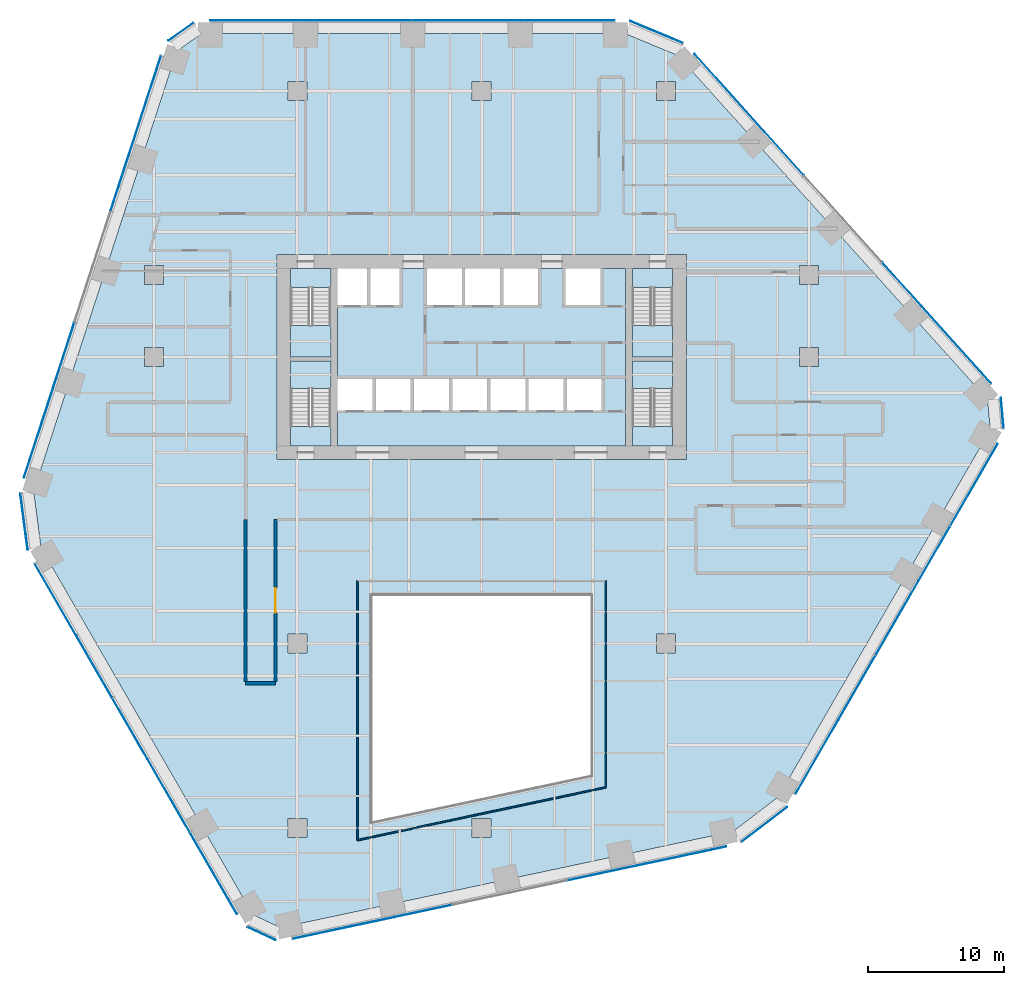
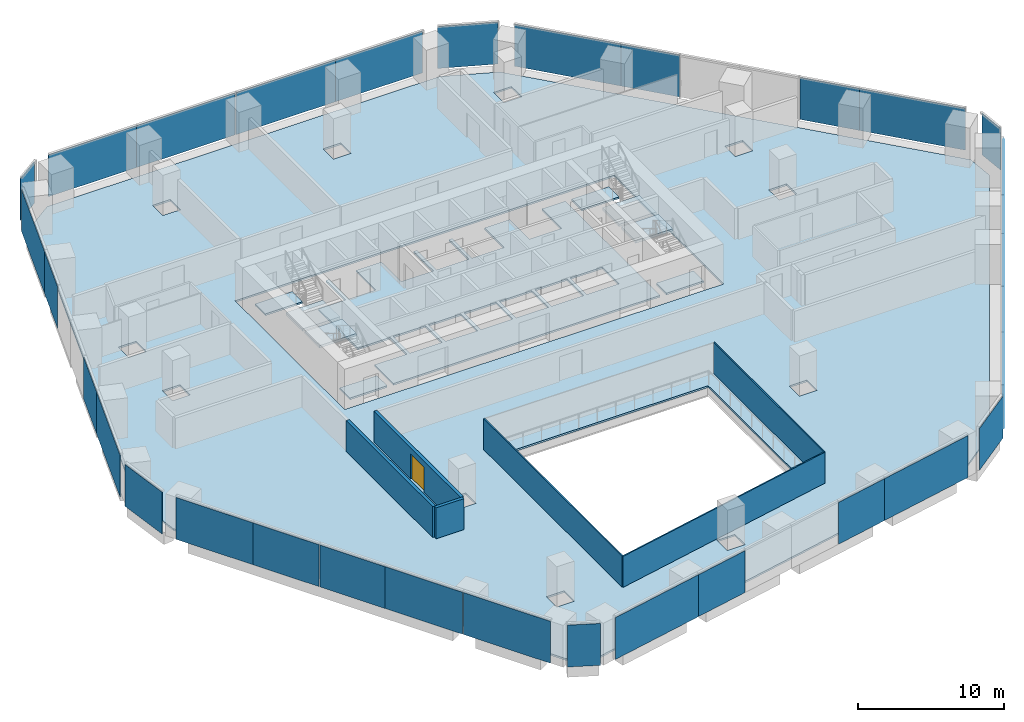
# One storey, part 13 of 20: 32 plates, 10 slabs, 6 walls, 1 door, 1 opening, 16 elements without a shape of their own.
"""IFC4 building model written with IfcOpenShell, lengths in metres."""

from ifc_helpers import new_model, si_unit, direction, frame, frame_2d, origin, origin_2d, place, context, subcontext, project, spatial, polyline, rectangle, outline, extrude, material, layer, layer_set, type_object, element, fill, aggregate, save


model = new_model("IFC4")

# Units and contexts
model_context = context("Model", 3, precision=1e-05, world=origin(), true_north=direction((0.0, 1.0)))
body_context = subcontext(model_context, "Body", "Model", "MODEL_VIEW")
ifc_project = project(units=[si_unit("LENGTHUNIT", "METRE"), si_unit("AREAUNIT", "SQUARE_METRE"), si_unit("VOLUMEUNIT", "CUBIC_METRE"), si_unit("PLANEANGLEUNIT", "RADIAN"), si_unit("MASSUNIT", "GRAM", prefix="KILO")], contexts=[model_context])

# Site, building, storey
site_placement = place(None, origin())
site = spatial("IfcSite", under=ifc_project, at=site_placement, CompositionType="ELEMENT")
building_placement = place(site_placement, origin())
building = spatial("IfcBuilding", under=site, at=building_placement, Name="Isthmus Gate Tower", CompositionType="ELEMENT")
storey_placement = place(building_placement, frame((0.0, 0.0, 72.5)))
storey = spatial("IfcBuildingStorey", under=building, at=storey_placement, Name="L16", CompositionType="ELEMENT", Elevation=72.5)

# Slabs
ifc_material_1 = material(Name="Concrete f'c 40 MPa", Category="concrete")
ifc_layer_1 = layer(ifc_material_1, 0.14990234375)
ifc_layer_set_1 = layer_set([ifc_layer_1], Name="COMPOSITE FLOOR SLAB 150")
slab_type_1 = type_object("IfcSlabType", Name="COMPOSITE FLOOR SLAB 150", PredefinedType="FLOOR", material=ifc_layer_set_1)
slab_1_placement = place(storey_placement, frame((0.0, 0.0, -0.14990234375)))
element("IfcSlab", 1, at=slab_1_placement, inside=storey, type_object=slab_type_1, Name="str-slab-L16-1", PredefinedType="FLOOR", context=body_context, shape_type="SweptSolid", body=[
    extrude(outline(polyline([(14.391357421875, 29.599365234375), (37.081787109375, 4.399169921875), (37.281494140625, 2.17333984375), (21.748779296875, -24.729736328125), (18.438232421875, -27.262939453125), (-14.73095703125, -34.313232421875), (-16.758544921875, -33.373291015625), (-32.291015625, -6.47021484375), (-32.82958984375, -2.33642578125), (-22.3505859375, 29.9140625), (-20.52294921875, 31.199951171875), (10.542236328125, 31.199951171875), (14.391357421875, 29.599365234375)]), holes=[polyline([(-14.199951171875, -27.699951171875), (-12.800048828125, -27.699951171875), (-12.800048828125, -26.300048828125), (-14.199951171875, -26.300048828125), (-14.199951171875, -27.699951171875)]), polyline([(-0.699951171875, -26.300048828125), (-0.699951171875, -27.699951171875), (0.699951171875, -27.699951171875), (0.699951171875, -26.300048828125), (-0.699951171875, -26.300048828125)]), polyline([(-14.199951171875, -12.800048828125), (-14.199951171875, -14.199951171875), (-12.800048828125, -14.199951171875), (-12.800048828125, -12.800048828125), (-14.199951171875, -12.800048828125)]), polyline([(-24.699951171875, 8.199951171875), (-24.699951171875, 6.800048828125), (-23.300048828125, 6.800048828125), (-23.300048828125, 8.199951171875), (-24.699951171875, 8.199951171875)]), polyline([(-23.300048828125, 14.199951171875), (-24.699951171875, 14.199951171875), (-24.699951171875, 12.800048828125), (-23.300048828125, 12.800048828125), (-23.300048828125, 14.199951171875)]), polyline([(-14.199951171875, 27.699951171875), (-14.199951171875, 26.300048828125), (-12.800048828125, 26.300048828125), (-12.800048828125, 27.699951171875), (-14.199951171875, 27.699951171875)]), polyline([(-0.699951171875, 27.699951171875), (-0.699951171875, 26.300048828125), (0.699951171875, 26.300048828125), (0.699951171875, 27.699951171875), (-0.699951171875, 27.699951171875)]), polyline([(8.0, -23.143310546875), (8.0, -10.0), (-8.0, -10.0), (-8.0, -26.544189453125), (8.0, -23.143310546875)]), polyline([(14.199951171875, -12.800048828125), (12.800048828125, -12.800048828125), (12.800048828125, -14.199951171875), (14.199951171875, -14.199951171875), (14.199951171875, -12.800048828125)]), polyline([(15.0, 15.0), (-15.0, 15.0), (-15.0, 0.0), (15.0, 0.0), (15.0, 15.0)]), polyline([(24.699951171875, 8.199951171875), (23.300048828125, 8.199951171875), (23.300048828125, 6.800048828125), (24.699951171875, 6.800048828125), (24.699951171875, 8.199951171875)]), polyline([(23.300048828125, 14.199951171875), (23.300048828125, 12.800048828125), (24.699951171875, 12.800048828125), (24.699951171875, 14.199951171875), (23.300048828125, 14.199951171875)]), polyline([(14.199951171875, 27.699951171875), (12.800048828125, 27.699951171875), (12.800048828125, 26.300048828125), (14.199951171875, 26.300048828125), (14.199951171875, 27.699951171875)])]), origin(), (0.0, 0.0, 1.0), 0.14990234375),
])
ifc_material_2 = material(Name="Concrete f'c 40 MPa", Category="concrete")
ifc_layer_2 = layer(ifc_material_2, 0.14990234375)
ifc_layer_set_2 = layer_set([ifc_layer_2], Name="CORE FLOOR SLAB 150")
slab_type_2 = type_object("IfcSlabType", Name="CORE FLOOR SLAB 150", PredefinedType="FLOOR", material=ifc_layer_set_2)
slab_2_placement = place(storey_placement, frame((0.0, 0.0, -0.14990234375)))
element("IfcSlab", 2, at=slab_2_placement, inside=storey, type_object=slab_type_2, Name="L16 core floor", PredefinedType="FLOOR", context=body_context, shape_type="SweptSolid", body=[
    extrude(outline(polyline([(-11.050048828125, 1.0), (-11.050048828125, 2.402099609375), (-14.0, 2.402099609375), (-14.0, 1.0), (-11.050048828125, 1.0)])), origin(), (0.0, 0.0, 1.0), 0.14990234375),
])
slab_3_placement = place(storey_placement, frame((0.0, 0.0, -0.14990234375)))
element("IfcSlab", 3, at=slab_3_placement, inside=storey, type_object=slab_type_2, Name="L16 core floor", PredefinedType="FLOOR", context=body_context, shape_type="SweptSolid", body=[
    extrude(outline(polyline([(-14.0, 14.0), (-14.0, 12.597900390625), (-11.050048828125, 12.597900390625), (-11.050048828125, 14.0), (-14.0, 14.0)])), origin(), (0.0, 0.0, 1.0), 0.14990234375),
])
slab_4_placement = place(storey_placement, frame((0.0, 0.0, -0.14990234375)))
element("IfcSlab", 4, at=slab_4_placement, inside=storey, type_object=slab_type_2, Name="L16 core floor", PredefinedType="FLOOR", context=body_context, shape_type="SweptSolid", body=[
    extrude(outline(polyline([(10.550048828125, 14.0), (8.699951171875, 14.0), (8.699951171875, 11.300048828125), (6.14990234375, 11.300048828125), (6.14990234375, 14.0), (4.14990234375, 14.0), (4.14990234375, 11.300048828125), (1.60009765625, 11.300048828125), (1.60009765625, 14.0), (1.35009765625, 14.0), (1.35009765625, 11.300048828125), (-1.199951171875, 11.300048828125), (-1.199951171875, 14.0), (-1.449951171875, 14.0), (-1.449951171875, 11.300048828125), (-4.0, 11.300048828125), (-4.0, 14.0), (-6.0, 14.0), (-6.0, 11.300048828125), (-8.14990234375, 11.300048828125), (-8.14990234375, 14.0), (-8.39990234375, 14.0), (-8.39990234375, 11.300048828125), (-10.550048828125, 11.300048828125), (-10.550048828125, 5.89990234375), (-8.0, 5.89990234375), (-8.0, 3.60009765625), (-10.550048828125, 3.60009765625), (-10.550048828125, 1.0), (10.550048828125, 1.0), (10.550048828125, 14.0)]), holes=[polyline([(-5.199951171875, 5.89990234375), (-5.199951171875, 3.60009765625), (-7.75, 3.60009765625), (-7.75, 5.89990234375), (-5.199951171875, 5.89990234375)]), polyline([(-2.39990234375, 5.89990234375), (-2.39990234375, 3.60009765625), (-4.949951171875, 3.60009765625), (-4.949951171875, 5.89990234375), (-2.39990234375, 5.89990234375)]), polyline([(0.39990234375, 5.89990234375), (0.39990234375, 3.60009765625), (-2.14990234375, 3.60009765625), (-2.14990234375, 5.89990234375), (0.39990234375, 5.89990234375)]), polyline([(3.199951171875, 5.89990234375), (3.199951171875, 3.60009765625), (0.64990234375, 3.60009765625), (0.64990234375, 5.89990234375), (3.199951171875, 5.89990234375)]), polyline([(6.0, 5.89990234375), (6.0, 3.60009765625), (3.449951171875, 3.60009765625), (3.449951171875, 5.89990234375), (6.0, 5.89990234375)]), polyline([(8.800048828125, 5.89990234375), (8.800048828125, 3.60009765625), (6.25, 3.60009765625), (6.25, 5.89990234375), (8.800048828125, 5.89990234375)])]), origin(), (0.0, 0.0, 1.0), 0.14990234375),
])
slab_5_placement = place(storey_placement, frame((0.0, 0.0, -0.14990234375)))
element("IfcSlab", 5, at=slab_5_placement, inside=storey, type_object=slab_type_2, Name="L16 core floor", PredefinedType="FLOOR", context=body_context, shape_type="SweptSolid", body=[
    extrude(outline(polyline([(14.0, 1.0), (14.0, 2.402099609375), (11.050048828125, 2.402099609375), (11.050048828125, 1.0), (14.0, 1.0)])), origin(), (0.0, 0.0, 1.0), 0.14990234375),
])
slab_6_placement = place(storey_placement, frame((0.0, 0.0, -0.14990234375)))
element("IfcSlab", 6, at=slab_6_placement, inside=storey, type_object=slab_type_2, Name="L16 core floor", PredefinedType="FLOOR", context=body_context, shape_type="SweptSolid", body=[
    extrude(outline(polyline([(11.050048828125, 14.0), (11.050048828125, 12.597900390625), (14.0, 12.597900390625), (14.0, 14.0), (11.050048828125, 14.0)])), origin(), (0.0, 0.0, 1.0), 0.14990234375),
])

# Curtain wall, plates
ifc_material_3 = material(Name="Aluminium, pale champagne anodised", Category="aluminium")
ifc_layer_3 = layer(ifc_material_3, 0.199951171875)
ifc_layer_set_3 = layer_set([ifc_layer_3], Name="CW-1 UNITISED CURTAIN WALL 200 DEEP")
curtain_wall_type = type_object("IfcCurtainWallType", Name="CW-1 UNITISED CURTAIN WALL 200 DEEP", PredefinedType="NOTDEFINED", material=ifc_layer_set_3)
curtain_wall_1_placement = place(storey_placement, origin())
curtain_wall_1 = element("IfcCurtainWall", 7, at=curtain_wall_1_placement, inside=storey, type_object=curtain_wall_type, Name="CW-1 N L16", PredefinedType="NOTDEFINED")
ifc_material_4 = material(Name="Laminated low-iron glass, pale blue tint", Category="glass")
ifc_layer_4 = layer(ifc_material_4, 0.0400390625)
ifc_layer_set_4 = layer_set([ifc_layer_4], Name="CW-1 CLEAR GLASS LITE 40")
plate_type = type_object("IfcPlateType", Name="CW-1 CLEAR GLASS LITE 40", PredefinedType="CURTAIN_PANEL", material=ifc_layer_set_4)
plate_1_placement = place(storey_placement, frame((6.287109375, 32.179931640625, 0.0), z_axis=(0.0, 0.0, 1.0), x_axis=(-1.0, 0.0, 0.0)))
plate_1 = element("IfcPlate", 8, at=plate_1_placement, type_object=plate_type, Name="CW-1 glass lite", PredefinedType="CURTAIN_PANEL", context=body_context, shape_type="SweptSolid", body=[
    extrude(rectangle(XDim=6.909423828125, YDim=0.0400390625, at=origin_2d()), origin(), (0.0, 0.0, 1.0), 3.5),
])
plate_2_placement = place(storey_placement, frame((-1.1025390625, 32.179931640625, 0.0), z_axis=(0.0, 0.0, 1.0), x_axis=(-1.0, 0.0, 0.0)))
plate_2 = element("IfcPlate", 9, at=plate_2_placement, type_object=plate_type, Name="CW-1 glass lite", PredefinedType="CURTAIN_PANEL", context=body_context, shape_type="SweptSolid", body=[
    extrude(rectangle(XDim=7.86962890625, YDim=0.0400390625, at=origin_2d()), origin(), (0.0, 0.0, 1.0), 3.5),
])
plate_3_placement = place(storey_placement, frame((-9.001953125, 32.179931640625, 0.0), z_axis=(0.0, 0.0, 1.0), x_axis=(-1.0, 0.0, 0.0)))
plate_3 = element("IfcPlate", 10, at=plate_3_placement, type_object=plate_type, Name="CW-1 glass lite", PredefinedType="CURTAIN_PANEL", context=body_context, shape_type="SweptSolid", body=[
    extrude(rectangle(XDim=7.8095703125, YDim=0.0400390625, at=origin_2d()), origin(), (0.0, 0.0, 1.0), 3.5),
])
plate_4_placement = place(storey_placement, frame((-16.391357421875, 32.179931640625, 0.0), z_axis=(0.0, 0.0, 1.0), x_axis=(-1.0, 0.0, 0.0)))
plate_4 = element("IfcPlate", 11, at=plate_4_placement, type_object=plate_type, Name="CW-1 glass lite", PredefinedType="CURTAIN_PANEL", context=body_context, shape_type="SweptSolid", body=[
    extrude(rectangle(XDim=6.969482421875, YDim=0.0400390625, at=origin_2d()), origin(), (0.0, 0.0, 1.0), 3.5),
])
aggregate(curtain_wall_1, [plate_1, plate_2, plate_3, plate_4])

# Curtain wall, plate
curtain_wall_2_placement = place(storey_placement, origin())
curtain_wall_2 = element("IfcCurtainWall", 12, at=curtain_wall_2_placement, inside=storey, type_object=curtain_wall_type, Name="CW-1 N-NW L16", PredefinedType="NOTDEFINED")
plate_5_placement = place(storey_placement, frame((-22.025146484375, 31.341552734375, 0.0), z_axis=(0.0, 0.0, 1.0), x_axis=(-0.81785959165, -0.57541783805, 0.0)))
plate_5 = element("IfcPlate", 13, at=plate_5_placement, type_object=plate_type, Name="CW-1 glass lite", PredefinedType="CURTAIN_PANEL", context=body_context, shape_type="SweptSolid", body=[
    extrude(rectangle(XDim=2.258544921875, YDim=0.0400390625, at=origin_2d()), origin(), (0.0, 0.0, 1.0), 3.5),
])
aggregate(curtain_wall_2, [plate_5])

# Curtain wall, plates
curtain_wall_3_placement = place(storey_placement, origin())
curtain_wall_3 = element("IfcCurtainWall", 14, at=curtain_wall_3_placement, inside=storey, type_object=curtain_wall_type, Name="CW-1 NW L16", PredefinedType="NOTDEFINED")
plate_6_placement = place(storey_placement, frame((-24.67578125, 25.9296875, 0.0), z_axis=(0.0, 0.0, 1.0), x_axis=(-0.309016994375, -0.951056516295, 0.0)))
plate_6 = element("IfcPlate", 15, at=plate_6_placement, type_object=plate_type, Name="CW-1 glass lite", PredefinedType="CURTAIN_PANEL", context=body_context, shape_type="SweptSolid", body=[
    extrude(rectangle(XDim=7.62939453125, YDim=0.0400390625, at=origin_2d()), origin(), (0.0, 0.0, 1.0), 3.5),
])
plate_7_placement = place(storey_placement, frame((-26.51806640625, 20.25927734375, 0.0), z_axis=(0.0, 0.0, 1.0), x_axis=(-0.309016994375, -0.951056516295, 0.0)))
plate_7 = element("IfcPlate", 16, at=plate_7_placement, type_object=plate_type, Name="CW-1 glass lite", PredefinedType="CURTAIN_PANEL", context=body_context, shape_type="SweptSolid", body=[
    extrude(rectangle(XDim=4.294677734375, YDim=0.0400390625, at=origin_2d()), origin(), (0.0, 0.0, 1.0), 3.5),
])
plate_8_placement = place(storey_placement, frame((-30.5087890625, 7.9775390625, 0.0), z_axis=(0.0, 0.0, 1.0), x_axis=(-0.309016994375, -0.951056516295, 0.0)))
plate_8 = element("IfcPlate", 17, at=plate_8_placement, type_object=plate_type, Name="CW-1 glass lite", PredefinedType="CURTAIN_PANEL", context=body_context, shape_type="SweptSolid", body=[
    extrude(rectangle(XDim=4.234619140625, YDim=0.0400390625, at=origin_2d()), origin(), (0.0, 0.0, 1.0), 3.5),
])
plate_9_placement = place(storey_placement, frame((-32.35107421875, 2.30712890625, 0.0), z_axis=(0.0, 0.0, 1.0), x_axis=(-0.309016994375, -0.951056516295, 0.0)))
plate_9 = element("IfcPlate", 18, at=plate_9_placement, type_object=plate_type, Name="CW-1 glass lite", PredefinedType="CURTAIN_PANEL", context=body_context, shape_type="SweptSolid", body=[
    extrude(rectangle(XDim=7.689453125, YDim=0.0400390625, at=origin_2d()), origin(), (0.0, 0.0, 1.0), 3.5),
])
aggregate(curtain_wall_3, [plate_6, plate_7, plate_8, plate_9])

# Curtain wall, plate
curtain_wall_4_placement = place(storey_placement, origin())
curtain_wall_4 = element("IfcCurtainWall", 19, at=curtain_wall_4_placement, inside=storey, type_object=curtain_wall_type, Name="CW-1 NW-SW L16", PredefinedType="NOTDEFINED")
plate_10_placement = place(storey_placement, frame((-33.5283203125, -4.558349609375, 0.0), z_axis=(0.0, 0.0, 1.0), x_axis=(0.129164534, -0.991623175988, 0.0)))
plate_10 = element("IfcPlate", 20, at=plate_10_placement, type_object=plate_type, Name="CW-1 glass lite", PredefinedType="CURTAIN_PANEL", context=body_context, shape_type="SweptSolid", body=[
    extrude(rectangle(XDim=4.181396484375, YDim=0.0400390625, at=origin_2d()), origin(), (0.0, 0.0, 1.0), 3.5),
])
aggregate(curtain_wall_4, [plate_10])

# Curtain wall, plates
curtain_wall_5_placement = place(storey_placement, origin())
curtain_wall_5 = element("IfcCurtainWall", 21, at=curtain_wall_5_placement, inside=storey, type_object=curtain_wall_type, Name="CW-1 SW L16", PredefinedType="NOTDEFINED")
plate_11_placement = place(storey_placement, frame((-31.22119140625, -10.283203125, 0.0), z_axis=(0.0, 0.0, 1.0), x_axis=(0.5, -0.866025403784, 0.0)))
plate_11 = element("IfcPlate", 22, at=plate_11_placement, type_object=plate_type, Name="CW-1 glass lite", PredefinedType="CURTAIN_PANEL", context=body_context, shape_type="SweptSolid", body=[
    extrude(rectangle(XDim=6.07373046875, YDim=0.0400390625, at=origin_2d()), origin(), (0.0, 0.0, 1.0), 3.5),
])
plate_12_placement = place(storey_placement, frame((-28.394287109375, -15.179443359375, 0.0), z_axis=(0.0, 0.0, 1.0), x_axis=(0.5, -0.866025403784, 0.0)))
plate_12 = element("IfcPlate", 23, at=plate_12_placement, type_object=plate_type, Name="CW-1 glass lite", PredefinedType="CURTAIN_PANEL", context=body_context, shape_type="SweptSolid", body=[
    extrude(rectangle(XDim=5.233642578125, YDim=0.0400390625, at=origin_2d()), origin(), (0.0, 0.0, 1.0), 3.5),
])
plate_13_placement = place(storey_placement, frame((-25.7626953125, -19.73779296875, 0.0), z_axis=(0.0, 0.0, 1.0), x_axis=(0.5, -0.866025403784, 0.0)))
plate_13 = element("IfcPlate", 24, at=plate_13_placement, type_object=plate_type, Name="CW-1 glass lite", PredefinedType="CURTAIN_PANEL", context=body_context, shape_type="SweptSolid", body=[
    extrude(rectangle(XDim=5.173583984375, YDim=0.0400390625, at=origin_2d()), origin(), (0.0, 0.0, 1.0), 3.5),
])
plate_14_placement = place(storey_placement, frame((-22.935791015625, -24.634033203125, 0.0), z_axis=(0.0, 0.0, 1.0), x_axis=(0.5, -0.866025403784, 0.0)))
plate_14 = element("IfcPlate", 25, at=plate_14_placement, type_object=plate_type, Name="CW-1 glass lite", PredefinedType="CURTAIN_PANEL", context=body_context, shape_type="SweptSolid", body=[
    extrude(rectangle(XDim=6.133544921875, YDim=0.0400390625, at=origin_2d()), origin(), (0.0, 0.0, 1.0), 3.5),
])
plate_15_placement = place(storey_placement, frame((-19.6513671875, -30.32275390625, 0.0), z_axis=(0.0, 0.0, 1.0), x_axis=(0.5, -0.866025403784, 0.0)))
plate_15 = element("IfcPlate", 26, at=plate_15_placement, type_object=plate_type, Name="CW-1 glass lite", PredefinedType="CURTAIN_PANEL", context=body_context, shape_type="SweptSolid", body=[
    extrude(rectangle(XDim=6.883544921875, YDim=0.0400390625, at=origin_2d()), origin(), (0.0, 0.0, 1.0), 3.5),
])
aggregate(curtain_wall_5, [plate_11, plate_12, plate_13, plate_14, plate_15])

# Curtain wall, plate
curtain_wall_6_placement = place(storey_placement, origin())
curtain_wall_6 = element("IfcCurtainWall", 27, at=curtain_wall_6_placement, inside=storey, type_object=curtain_wall_type, Name="CW-1 SW-S L16", PredefinedType="NOTDEFINED")
plate_16_placement = place(storey_placement, frame((-16.1298828125, -34.7451171875, 0.0), z_axis=(0.0, 0.0, 1.0), x_axis=(0.907256261367, -0.420578264073, 0.0)))
plate_16 = element("IfcPlate", 28, at=plate_16_placement, type_object=plate_type, Name="CW-1 glass lite", PredefinedType="CURTAIN_PANEL", context=body_context, shape_type="SweptSolid", body=[
    extrude(rectangle(XDim=2.258544921875, YDim=0.0400390625, at=origin_2d()), origin(), (0.0, 0.0, 1.0), 3.5),
])
aggregate(curtain_wall_6, [plate_16])

# Curtain wall, plates
curtain_wall_7_placement = place(storey_placement, origin())
curtain_wall_7 = element("IfcCurtainWall", 29, at=curtain_wall_7_placement, inside=storey, type_object=curtain_wall_type, Name="CW-1 S L16", PredefinedType="NOTDEFINED")
plate_17_placement = place(storey_placement, frame((-10.117919921875, -34.334716796875, 0.0), z_axis=(0.0, 0.0, 1.0), x_axis=(0.978147600734, 0.207911690818, 0.0)))
plate_17 = element("IfcPlate", 30, at=plate_17_placement, type_object=plate_type, Name="CW-1 glass lite", PredefinedType="CURTAIN_PANEL", context=body_context, shape_type="SweptSolid", body=[
    extrude(rectangle(XDim=7.62939453125, YDim=0.0400390625, at=origin_2d()), origin(), (0.0, 0.0, 1.0), 3.5),
])
plate_18_placement = place(storey_placement, frame((-4.2861328125, -33.094970703125, 0.0), z_axis=(0.0, 0.0, 1.0), x_axis=(0.978147600734, 0.207911690818, 0.0)))
plate_18 = element("IfcPlate", 31, at=plate_18_placement, type_object=plate_type, Name="CW-1 glass lite", PredefinedType="CURTAIN_PANEL", context=body_context, shape_type="SweptSolid", body=[
    extrude(rectangle(XDim=4.294677734375, YDim=0.0400390625, at=origin_2d()), origin(), (0.0, 0.0, 1.0), 3.5),
])
plate_19_placement = place(storey_placement, frame((8.345703125, -30.41015625, 0.0), z_axis=(0.0, 0.0, 1.0), x_axis=(0.978147600734, 0.207911690818, 0.0)))
plate_19 = element("IfcPlate", 32, at=plate_19_placement, type_object=plate_type, Name="CW-1 glass lite", PredefinedType="CURTAIN_PANEL", context=body_context, shape_type="SweptSolid", body=[
    extrude(rectangle(XDim=4.234619140625, YDim=0.0400390625, at=origin_2d()), origin(), (0.0, 0.0, 1.0), 3.5),
])
plate_20_placement = place(storey_placement, frame((14.177490234375, -29.17041015625, 0.0), z_axis=(0.0, 0.0, 1.0), x_axis=(0.978147600734, 0.207911690818, 0.0)))
plate_20 = element("IfcPlate", 33, at=plate_20_placement, type_object=plate_type, Name="CW-1 glass lite", PredefinedType="CURTAIN_PANEL", context=body_context, shape_type="SweptSolid", body=[
    extrude(rectangle(XDim=7.689453125, YDim=0.0400390625, at=origin_2d()), origin(), (0.0, 0.0, 1.0), 3.5),
])
aggregate(curtain_wall_7, [plate_17, plate_18, plate_19, plate_20])

# Curtain wall, plate
curtain_wall_8_placement = place(storey_placement, origin())
curtain_wall_8 = element("IfcCurtainWall", 34, at=curtain_wall_8_placement, inside=storey, type_object=curtain_wall_type, Name="CW-1 S-SE L16", PredefinedType="NOTDEFINED")
plate_21_placement = place(storey_placement, frame((20.711669921875, -26.75732421875, 0.0), z_axis=(0.0, 0.0, 1.0), x_axis=(0.794188594387, 0.607671355706, 0.0)))
plate_21 = element("IfcPlate", 35, at=plate_21_placement, type_object=plate_type, Name="CW-1 glass lite", PredefinedType="CURTAIN_PANEL", context=body_context, shape_type="SweptSolid", body=[
    extrude(rectangle(XDim=4.181396484375, YDim=0.0400390625, at=origin_2d()), origin(), (0.0, 0.0, 1.0), 3.5),
])
aggregate(curtain_wall_8, [plate_21])

# Curtain wall, plates
curtain_wall_9_placement = place(storey_placement, origin())
curtain_wall_9 = element("IfcCurtainWall", 36, at=curtain_wall_9_placement, inside=storey, type_object=curtain_wall_type, Name="CW-1 SE L16", PredefinedType="NOTDEFINED")
plate_22_placement = place(storey_placement, frame((24.5673828125, -21.80810546875, 0.0), z_axis=(0.0, 0.0, 1.0), x_axis=(0.5, 0.866025403784, 0.0)))
plate_22 = element("IfcPlate", 37, at=plate_22_placement, type_object=plate_type, Name="CW-1 glass lite", PredefinedType="CURTAIN_PANEL", context=body_context, shape_type="SweptSolid", body=[
    extrude(rectangle(XDim=6.278564453125, YDim=0.0400390625, at=origin_2d()), origin(), (0.0, 0.0, 1.0), 3.5),
])
plate_23_placement = place(storey_placement, frame((27.49658203125, -16.734375, 0.0), z_axis=(0.0, 0.0, 1.0), x_axis=(0.5, 0.866025403784, 0.0)))
plate_23 = element("IfcPlate", 38, at=plate_23_placement, type_object=plate_type, Name="CW-1 glass lite", PredefinedType="CURTAIN_PANEL", context=body_context, shape_type="SweptSolid", body=[
    extrude(rectangle(XDim=5.4384765625, YDim=0.0400390625, at=origin_2d()), origin(), (0.0, 0.0, 1.0), 3.5),
])
plate_24_placement = place(storey_placement, frame((30.4560546875, -11.608642578125, 0.0), z_axis=(0.0, 0.0, 1.0), x_axis=(0.5, 0.866025403784, 0.0)))
plate_24 = element("IfcPlate", 39, at=plate_24_placement, type_object=plate_type, Name="CW-1 glass lite", PredefinedType="CURTAIN_PANEL", context=body_context, shape_type="SweptSolid", body=[
    extrude(rectangle(XDim=6.278564453125, YDim=0.0400390625, at=origin_2d()), origin(), (0.0, 0.0, 1.0), 3.5),
])
plate_25_placement = place(storey_placement, frame((33.173828125, -6.901123046875, 0.0), z_axis=(0.0, 0.0, 1.0), x_axis=(0.5, 0.866025403784, 0.0)))
plate_25 = element("IfcPlate", 40, at=plate_25_placement, type_object=plate_type, Name="CW-1 glass lite", PredefinedType="CURTAIN_PANEL", context=body_context, shape_type="SweptSolid", body=[
    extrude(rectangle(XDim=4.5927734375, YDim=0.0400390625, at=origin_2d()), origin(), (0.0, 0.0, 1.0), 3.5),
])
plate_26_placement = place(storey_placement, frame((36.079345703125, -1.86865234375, 0.0), z_axis=(0.0, 0.0, 1.0), x_axis=(0.5, 0.866025403784, 0.0)))
plate_26 = element("IfcPlate", 41, at=plate_26_placement, type_object=plate_type, Name="CW-1 glass lite", PredefinedType="CURTAIN_PANEL", context=body_context, shape_type="SweptSolid", body=[
    extrude(rectangle(XDim=6.909423828125, YDim=0.0400390625, at=origin_2d()), origin(), (0.0, 0.0, 1.0), 3.5),
])
aggregate(curtain_wall_9, [plate_22, plate_23, plate_24, plate_25, plate_26])

# Curtain wall, plate
curtain_wall_10_placement = place(storey_placement, origin())
curtain_wall_10 = element("IfcCurtainWall", 42, at=curtain_wall_10_placement, inside=storey, type_object=curtain_wall_type, Name="CW-1 SE-NE L16", PredefinedType="NOTDEFINED")
plate_27_placement = place(storey_placement, frame((38.155029296875, 3.403564453125, 0.0), z_axis=(0.0, 0.0, 1.0), x_axis=(-0.089396669717, 0.995996102123, 0.0)))
plate_27 = element("IfcPlate", 43, at=plate_27_placement, type_object=plate_type, Name="CW-1 glass lite", PredefinedType="CURTAIN_PANEL", context=body_context, shape_type="SweptSolid", body=[
    extrude(rectangle(XDim=2.258544921875, YDim=0.0400390625, at=origin_2d()), origin(), (0.0, 0.0, 1.0), 3.5),
])
aggregate(curtain_wall_10, [plate_27])

# Curtain wall, plates
curtain_wall_11_placement = place(storey_placement, origin())
curtain_wall_11 = element("IfcCurtainWall", 44, at=curtain_wall_11_placement, inside=storey, type_object=curtain_wall_type, Name="CW-1 NE L16", PredefinedType="NOTDEFINED")
plate_28_placement = place(storey_placement, frame((34.79345703125, 8.405029296875, 0.0), z_axis=(0.0, 0.0, 1.0), x_axis=(-0.669130606359, 0.743144825477, 0.0)))
plate_28 = element("IfcPlate", 45, at=plate_28_placement, type_object=plate_type, Name="CW-1 glass lite", PredefinedType="CURTAIN_PANEL", context=body_context, shape_type="SweptSolid", body=[
    extrude(rectangle(XDim=7.62939453125, YDim=0.0400390625, at=origin_2d()), origin(), (0.0, 0.0, 1.0), 3.5),
])
plate_29_placement = place(storey_placement, frame((30.80419921875, 12.835693359375, 0.0), z_axis=(0.0, 0.0, 1.0), x_axis=(-0.669130606359, 0.743144825477, 0.0)))
plate_29 = element("IfcPlate", 46, at=plate_29_placement, type_object=plate_type, Name="CW-1 glass lite", PredefinedType="CURTAIN_PANEL", context=body_context, shape_type="SweptSolid", body=[
    extrude(rectangle(XDim=4.294677734375, YDim=0.0400390625, at=origin_2d()), origin(), (0.0, 0.0, 1.0), 3.5),
])
plate_30_placement = place(storey_placement, frame((22.1630859375, 22.4326171875, 0.0), z_axis=(0.0, 0.0, 1.0), x_axis=(-0.669130606359, 0.743144825477, 0.0)))
plate_30 = element("IfcPlate", 47, at=plate_30_placement, type_object=plate_type, Name="CW-1 glass lite", PredefinedType="CURTAIN_PANEL", context=body_context, shape_type="SweptSolid", body=[
    extrude(rectangle(XDim=4.234619140625, YDim=0.0400390625, at=origin_2d()), origin(), (0.0, 0.0, 1.0), 3.5),
])
plate_31_placement = place(storey_placement, frame((18.173583984375, 26.86328125, 0.0), z_axis=(0.0, 0.0, 1.0), x_axis=(-0.669130606359, 0.743144825477, 0.0)))
plate_31 = element("IfcPlate", 48, at=plate_31_placement, type_object=plate_type, Name="CW-1 glass lite", PredefinedType="CURTAIN_PANEL", context=body_context, shape_type="SweptSolid", body=[
    extrude(rectangle(XDim=7.689453125, YDim=0.0400390625, at=origin_2d()), origin(), (0.0, 0.0, 1.0), 3.5),
])
aggregate(curtain_wall_11, [plate_28, plate_29, plate_30, plate_31])

# Curtain wall, plate
curtain_wall_12_placement = place(storey_placement, origin())
curtain_wall_12 = element("IfcCurtainWall", 49, at=curtain_wall_12_placement, inside=storey, type_object=curtain_wall_type, Name="CW-1 NE-N L16", PredefinedType="NOTDEFINED")
plate_32_placement = place(storey_placement, frame((12.816650390625, 31.315673828125, 0.0), z_axis=(0.0, 0.0, 1.0), x_axis=(-0.923353128387, 0.383951820282, 0.0)))
plate_32 = element("IfcPlate", 50, at=plate_32_placement, type_object=plate_type, Name="CW-1 glass lite", PredefinedType="CURTAIN_PANEL", context=body_context, shape_type="SweptSolid", body=[
    extrude(rectangle(XDim=4.181396484375, YDim=0.0400390625, at=origin_2d()), origin(), (0.0, 0.0, 1.0), 3.5),
])
aggregate(curtain_wall_12, [plate_32])

# Stair, slab
ifc_material_5 = material(Name="Concrete f'c 40 MPa", Category="concrete")
stair_type = type_object("IfcStairType", Name="CORE STAIR 22 RISERS", PredefinedType="HALF_TURN_STAIR", material=ifc_material_5)
stair_1_placement = place(storey_placement, origin())
stair_1 = element("IfcStair", 51, at=stair_1_placement, inside=storey, type_object=stair_type, Name="L16 Exit Stair 1", PredefinedType="HALF_TURN_STAIR")
ifc_material_6 = material(Name="Concrete f'c 40 MPa", Category="concrete")
ifc_layer_5 = layer(ifc_material_6, 0.199951171875)
ifc_layer_set_5 = layer_set([ifc_layer_5])
slab_type_3 = type_object("IfcSlabType", Name="STAIR LANDING RC 200", PredefinedType="LANDING", material=ifc_layer_set_5)
slab_7_placement = place(storey_placement, frame((0.0, 0.0, 1.625)))
slab_7 = element("IfcSlab", 52, at=slab_7_placement, type_object=slab_type_3, Name="ST1 landing 1", PredefinedType="LANDING", context=body_context, shape_type="SweptSolid", body=[
    extrude(outline(polyline([(-14.0, 9.800048828125), (-14.0, 7.5), (-11.050048828125, 7.5), (-11.050048828125, 9.800048828125), (-14.0, 9.800048828125)])), origin(), (0.0, 0.0, 1.0), 0.199951171875),
])
aggregate(stair_1, [slab_7])

stair_2_placement = place(storey_placement, origin())
stair_2 = element("IfcStair", 53, at=stair_2_placement, inside=storey, type_object=stair_type, Name="L16 Exit Stair 2", PredefinedType="HALF_TURN_STAIR")
slab_8_placement = place(storey_placement, frame((0.0, 0.0, 1.625)))
slab_8 = element("IfcSlab", 54, at=slab_8_placement, type_object=slab_type_3, Name="ST2 landing 1", PredefinedType="LANDING", context=body_context, shape_type="SweptSolid", body=[
    extrude(outline(polyline([(11.050048828125, 9.800048828125), (11.050048828125, 7.5), (14.0, 7.5), (14.0, 9.800048828125), (11.050048828125, 9.800048828125)])), origin(), (0.0, 0.0, 1.0), 0.199951171875),
])
aggregate(stair_2, [slab_8])

stair_3_placement = place(storey_placement, origin())
stair_3 = element("IfcStair", 55, at=stair_3_placement, inside=storey, type_object=stair_type, Name="L16 Exit Stair 7", PredefinedType="HALF_TURN_STAIR")
slab_9_placement = place(storey_placement, frame((0.0, 0.0, 1.625)))
slab_9 = element("IfcSlab", 56, at=slab_9_placement, type_object=slab_type_3, Name="ST7 landing 1", PredefinedType="LANDING", context=body_context, shape_type="SweptSolid", body=[
    extrude(outline(polyline([(-11.050048828125, 5.199951171875), (-11.050048828125, 7.199951171875), (-14.0, 7.199951171875), (-14.0, 5.199951171875), (-11.050048828125, 5.199951171875)])), origin(), (0.0, 0.0, 1.0), 0.199951171875),
])
aggregate(stair_3, [slab_9])

stair_4_placement = place(storey_placement, origin())
stair_4 = element("IfcStair", 57, at=stair_4_placement, inside=storey, type_object=stair_type, Name="L16 Exit Stair 8", PredefinedType="HALF_TURN_STAIR")
slab_10_placement = place(storey_placement, frame((0.0, 0.0, 1.625)))
slab_10 = element("IfcSlab", 58, at=slab_10_placement, type_object=slab_type_3, Name="ST8 landing 1", PredefinedType="LANDING", context=body_context, shape_type="SweptSolid", body=[
    extrude(outline(polyline([(14.0, 5.199951171875), (14.0, 7.199951171875), (11.050048828125, 7.199951171875), (11.050048828125, 5.199951171875), (14.0, 5.199951171875)])), origin(), (0.0, 0.0, 1.0), 0.199951171875),
])
aggregate(stair_4, [slab_10])

# Wall
ifc_material_7 = material(Name="Double-leaf acoustic stud wall, fire-rated", Category="gypsum")
ifc_layer_6 = layer(ifc_material_7, 0.25)
ifc_layer_set_6 = layer_set([ifc_layer_6], Name="ACOUSTIC WALL 250 60 MIN")
wall_type_1 = type_object("IfcWallType", Name="ACOUSTIC WALL 250 60 MIN", PredefinedType="PARTITIONING", material=ifc_layer_set_6)
wall_1_placement = place(storey_placement, frame((-15.10009765625, -16.39990234375, 0.0), z_axis=(0.0, 0.0, 1.0), x_axis=(-1.0, 0.0, 0.0)))
element("IfcWall", 59, at=wall_1_placement, inside=storey, type_object=wall_type_1, Name="L16 Acoustic Wall 250 60 Min", PredefinedType="PARTITIONING", context=body_context, shape_type="SweptSolid", body=[
    extrude(rectangle(XDim=2.199951171875, YDim=0.25, at=frame_2d((1.10009765625, 0.0))), origin(), (0.0, 0.0, 1.0), 2.59130859375),
])

# Wall, opening, door
wall_2_placement = place(storey_placement, frame((-15.10009765625, -4.39990234375, 0.0), z_axis=(0.0, 0.0, 1.0), x_axis=(0.0, -1.0, 0.0)))
wall_2 = element("IfcWall", 60, at=wall_2_placement, inside=storey, type_object=wall_type_1, Name="L16 Acoustic Wall 250 60 Min", PredefinedType="PARTITIONING", context=body_context, shape_type="SweptSolid", body=[
    extrude(rectangle(XDim=11.875, YDim=0.25, at=frame_2d((5.9375, 0.0))), origin(), (0.0, 0.0, 1.0), 2.59130859375),
])
opening_placement = place(wall_2_placement, frame((5.03759765625, 0.0, 0.0)))
opening = element("IfcOpeningElement", 61, at=opening_placement, cuts=wall_2, Name="Opening DT-T1D-15", PredefinedType="OPENING", context=body_context, shape_type="SweptSolid", body=[
    extrude(rectangle(XDim=1.800048828125, YDim=2.10009765625, at=frame_2d((0.89990234375, 1.050048828125))), frame((0.0, 0.135009765625, 0.0), z_axis=(0.0, -1.0, 0.0), x_axis=(1.0, 0.0, 0.0)), (0.0, 0.0, 1.0), 0.27001953125),
])
ifc_material_8 = material(Name="Solid core timber door leaf, fire-rated", Category="wood")
door_type = type_object("IfcDoorType", Name="FIRE DOOR ACOUSTIC ROOM 1800 X 2100 60 MIN", OperationType="DOUBLE_DOOR_DOUBLE_SWING", PredefinedType="DOOR", material=ifc_material_8)
door_placement = place(opening_placement, origin())
door = element("IfcDoor", 62, at=door_placement, inside=storey, type_object=door_type, Name="L16 room door", OperationType="DOUBLE_DOOR_DOUBLE_SWING", OverallHeight=2.10009765625, OverallWidth=1.800048828125, PredefinedType="DOOR", context=body_context, shape_type="SweptSolid", body=[
    extrude(rectangle(XDim=1.800048828125, YDim=2.10009765625, at=frame_2d((0.89990234375, 1.050048828125))), frame((0.0, 0.02490234375, 0.0), z_axis=(0.0, -1.0, 0.0), x_axis=(1.0, 0.0, 0.0)), (0.0, 0.0, 1.0), 0.050048828125),
])
fill(opening, door)

# Walls
wall_3_placement = place(storey_placement, frame((-17.300048828125, -16.27490234375, 0.0), z_axis=(0.0, 0.0, 1.0), x_axis=(0.0, 1.0, 0.0)))
element("IfcWall", 63, at=wall_3_placement, inside=storey, type_object=wall_type_1, Name="L16 Acoustic Wall 250 60 Min", PredefinedType="PARTITIONING", context=body_context, shape_type="SweptSolid", body=[
    extrude(rectangle(XDim=11.872802734375, YDim=0.25, at=frame_2d((5.9365234375, 0.0))), origin(), (0.0, 0.0, 1.0), 2.59130859375),
])
ifc_material_9 = material(Name="Fire-rated laminated glass in steel frame", Category="steel")
ifc_layer_7 = layer(ifc_material_9, 0.10009765625)
ifc_layer_set_7 = layer_set([ifc_layer_7], Name="ATRIUM SCREEN GLAZED WALL 100 120 MIN")
wall_type_2 = type_object("IfcWallType", Name="ATRIUM SCREEN GLAZED WALL 100 120 MIN", PredefinedType="PARTITIONING", material=ifc_layer_set_7)
wall_4_placement = place(storey_placement, frame((9.10009765625, -8.89990234375, 0.0), z_axis=(0.0, 0.0, 1.0), x_axis=(0.0, -1.0, 0.0)))
element("IfcWall", 64, at=wall_4_placement, inside=storey, type_object=wall_type_2, Name="L16 atrium screen", PredefinedType="PARTITIONING", context=body_context, shape_type="SweptSolid", body=[
    extrude(rectangle(XDim=15.134033203125, YDim=0.10009765625, at=frame_2d((7.56689453125, 0.0))), origin(), (0.0, 0.0, 1.0), 2.59130859375),
])
wall_5_placement = place(storey_placement, frame((9.10009765625, -24.033935546875, 0.0), z_axis=(0.0, 0.0, 1.0), x_axis=(-0.978146710971, -0.207915876778, 0.0)))
element("IfcWall", 65, at=wall_5_placement, inside=storey, type_object=wall_type_2, Name="L16 atrium screen", PredefinedType="PARTITIONING", context=body_context, shape_type="SweptSolid", body=[
    extrude(rectangle(XDim=18.60693359375, YDim=0.10009765625, at=frame_2d((9.303466796875, 0.0))), origin(), (0.0, 0.0, 1.0), 2.59130859375),
])
wall_6_placement = place(storey_placement, frame((-9.10009765625, -27.902587890625, 0.0), z_axis=(0.0, 0.0, 1.0), x_axis=(0.0, 1.0, 0.0)))
element("IfcWall", 66, at=wall_6_placement, inside=storey, type_object=wall_type_2, Name="L16 atrium screen", PredefinedType="PARTITIONING", context=body_context, shape_type="SweptSolid", body=[
    extrude(rectangle(XDim=19.002685546875, YDim=0.10009765625, at=frame_2d((9.50146484375, 0.0))), origin(), (0.0, 0.0, 1.0), 2.59130859375),
])

save(model, "model.ifc")
